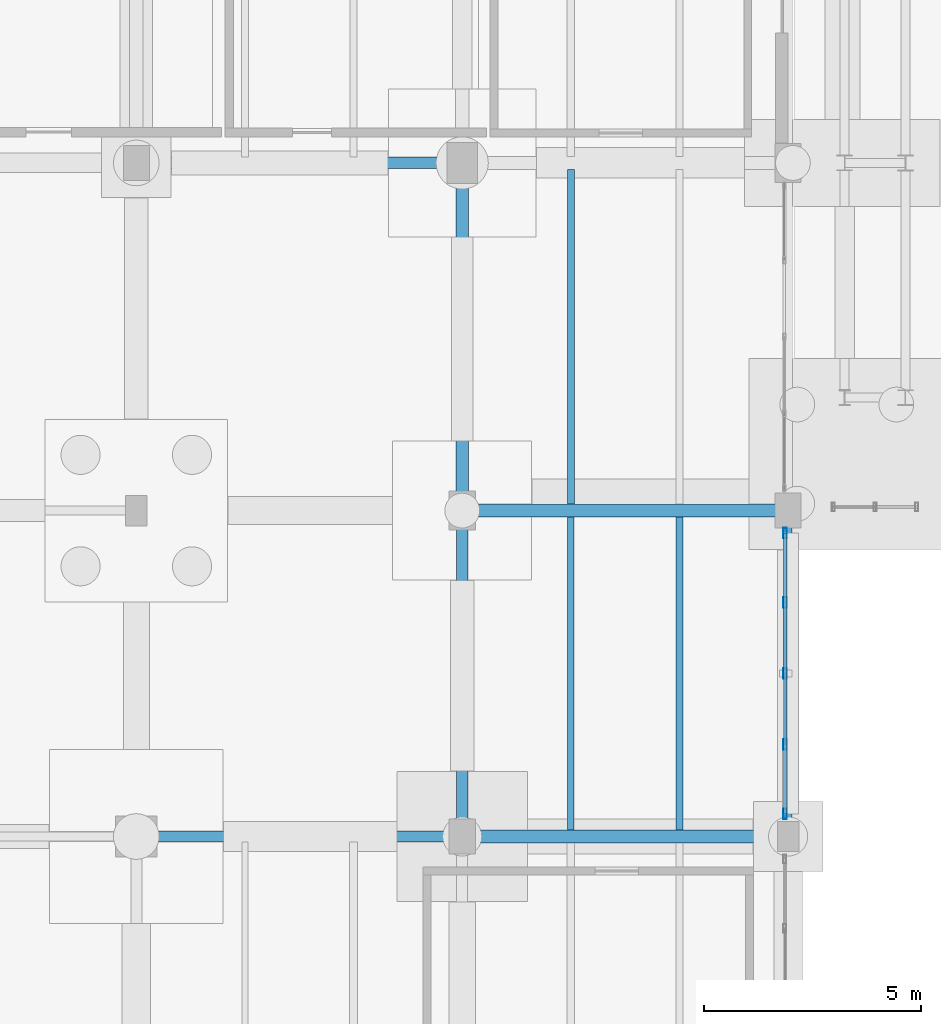
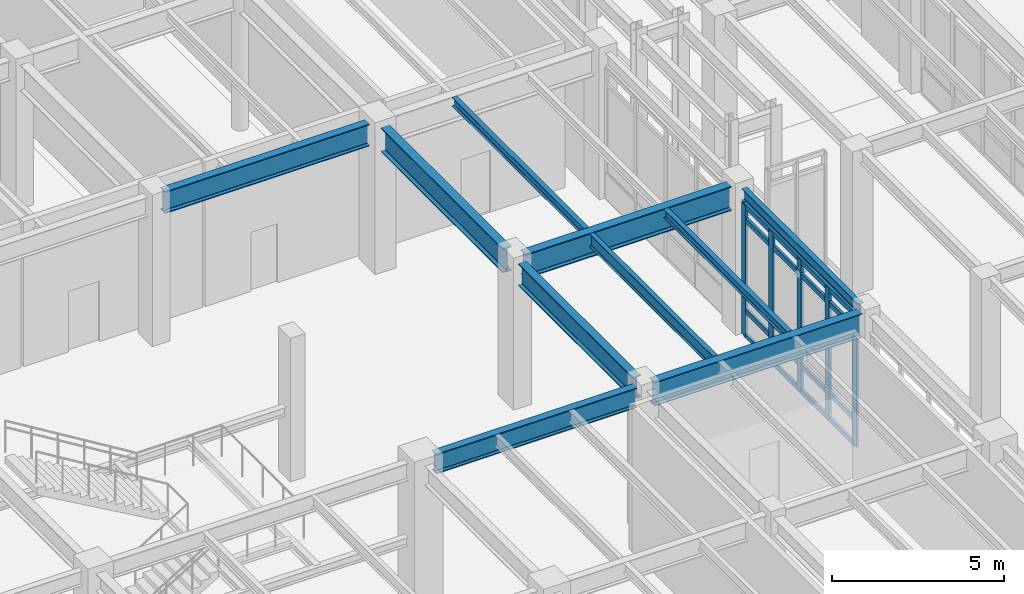
# One storey, part 39 of 203: 10 beams, 9 members, 1 element without a shape of its own.
"""IFC4 building model written with IfcOpenShell, lengths in metres."""

from ifc_helpers import new_model, si_unit, direction, frame, origin, origin_2d, place, context, subcontext, project, spatial, hollow_rectangle, i_section, extrude, material, material_profile, profile_set, type_object, element, aggregate, save


model = new_model("IFC4")

# Units and contexts
model_context = context("Model", 3, precision=1e-05, world=origin(), true_north=direction((0.0, 1.0)))
body_context = subcontext(model_context, "Body", "Model", "MODEL_VIEW")
ifc_project = project(units=[si_unit("LENGTHUNIT", "METRE"), si_unit("AREAUNIT", "SQUARE_METRE"), si_unit("VOLUMEUNIT", "CUBIC_METRE"), si_unit("PLANEANGLEUNIT", "RADIAN"), si_unit("MASSUNIT", "GRAM", prefix="KILO"), si_unit("THERMODYNAMICTEMPERATUREUNIT", "KELVIN"), si_unit("POWERUNIT", "WATT")], contexts=[model_context])

# Site, building, storey
site_placement = place(None, origin())
site = spatial("IfcSite", under=ifc_project, at=site_placement, CompositionType="ELEMENT")
building_placement = place(site_placement, origin())
building = spatial("IfcBuilding", under=site, at=building_placement, Name="Tepalcoro Natatorium and Aquatics Centre", CompositionType="ELEMENT")
storey_placement = place(building_placement, origin())
storey = spatial("IfcBuildingStorey", under=building, at=storey_placement, Name="L00", CompositionType="ELEMENT", Elevation=0.0)

# Beams
ifc_material_1 = material(Name="Steel ASTM A992 Grade 50 (Fy 345 MPa)", Category="steel")
ifc_material_profile_1 = material_profile(ifc_material_1, i_section(OverallWidth=0.25390625, OverallDepth=0.700927734375, WebThickness=0.014892578125, FlangeThickness=0.028076171875, FilletRadius=0.013916015625, at=origin_2d()), Name="W27X129")
ifc_profile_set_1 = profile_set([ifc_material_profile_1], Name="Steel ASTM A992 Grade 50 (Fy 345 MPa)")
beam_type_1 = type_object("IfcBeamType", Name="BM_W27x129", PredefinedType="BEAM", material=ifc_profile_set_1)
beam_1_placement = place(storey_placement, frame((21.4599609375, 20.5, 4.79443359375), z_axis=(1.0, 0.0, 0.0), x_axis=(0.0, 1.0, 0.0)))
element("IfcBeam", 1, at=beam_1_placement, inside=storey, type_object=beam_type_1, Name="V3 L00 Grid Girder X", PredefinedType="BEAM", context=body_context, shape_type="SweptSolid", body=[
    extrude(i_section(OverallWidth=0.25390625, OverallDepth=0.700927734375, WebThickness=0.014892578125, FlangeThickness=0.028076171875, FilletRadius=0.013916015625, at=origin_2d()), origin(), (0.0, 0.0, 1.0), 6.755126953125),
])
ifc_material_profile_2 = material_profile(ifc_material_1, i_section(OverallWidth=0.26708984375, OverallDepth=0.780029296875, WebThickness=0.01708984375, FlangeThickness=0.030029296875, FilletRadius=0.013916015625, at=origin_2d()), Name="W30X148")
ifc_profile_set_2 = profile_set([ifc_material_profile_2], Name="Steel ASTM A992 Grade 50 (Fy 345 MPa)")
beam_type_2 = type_object("IfcBeamType", Name="BM_W30x148", PredefinedType="BEAM", material=ifc_profile_set_2)
beam_2_placement = place(storey_placement, frame((21.284912109375, 36.0, 4.7548828125), z_axis=(1.0, 0.0, 0.0), x_axis=(0.0, 1.0, 0.0)))
element("IfcBeam", 2, at=beam_2_placement, inside=storey, type_object=beam_type_2, Name="V3 L00 Grid Girder X", PredefinedType="BEAM", context=body_context, shape_type="SweptSolid", body=[
    extrude(i_section(OverallWidth=0.26708984375, OverallDepth=0.780029296875, WebThickness=0.01708984375, FlangeThickness=0.030029296875, FilletRadius=0.013916015625, at=origin_2d()), origin(), (0.0, 0.0, 1.0), 6.880126953125),
])
beam_3_placement = place(storey_placement, frame((28.5, 20.885009765625, 4.7548828125), z_axis=(0.0, 1.0, 0.0), x_axis=(-1.0, 0.0, 0.0)))
element("IfcBeam", 3, at=beam_3_placement, inside=storey, type_object=beam_type_2, Name="V3 L00 Grid Girder Y", PredefinedType="BEAM", context=body_context, shape_type="SweptSolid", body=[
    extrude(i_section(OverallWidth=0.26708984375, OverallDepth=0.780029296875, WebThickness=0.01708984375, FlangeThickness=0.030029296875, FilletRadius=0.013916015625, at=origin_2d()), origin(), (0.0, 0.0, 1.0), 6.679931640625),
])
ifc_material_profile_3 = material_profile(ifc_material_1, i_section(OverallWidth=0.2919921875, OverallDepth=0.845947265625, WebThickness=0.014892578125, FlangeThickness=0.02392578125, FilletRadius=0.013916015625, at=origin_2d()), Name="W33X141")
ifc_profile_set_3 = profile_set([ifc_material_profile_3], Name="Steel ASTM A992 Grade 50 (Fy 345 MPa)")
beam_type_3 = type_object("IfcBeamType", Name="BM_W33x141", PredefinedType="BEAM", material=ifc_profile_set_3)
beam_4_placement = place(storey_placement, frame((28.784912109375, 20.5, 4.721923828125), z_axis=(1.0, 0.0, 0.0), x_axis=(0.0, 1.0, 0.0)))
element("IfcBeam", 4, at=beam_4_placement, inside=storey, type_object=beam_type_3, Name="V3 L00 Grid Girder X", PredefinedType="BEAM", context=body_context, shape_type="SweptSolid", body=[
    extrude(i_section(OverallWidth=0.2919921875, OverallDepth=0.845947265625, WebThickness=0.014892578125, FlangeThickness=0.02392578125, FilletRadius=0.013916015625, at=origin_2d()), origin(), (0.0, 0.0, 1.0), 6.97998046875),
])
ifc_material_profile_4 = material_profile(ifc_material_1, i_section(OverallWidth=0.2919921875, OverallDepth=0.85888671875, WebThickness=0.01708984375, FlangeThickness=0.031005859375, FilletRadius=0.013916015625, at=origin_2d()), Name="W33X169")
ifc_profile_set_4 = profile_set([ifc_material_profile_4], Name="Steel ASTM A992 Grade 50 (Fy 345 MPa)")
beam_type_4 = type_object("IfcBeamType", Name="BM_W33x169", PredefinedType="BEAM", material=ifc_profile_set_4)
beam_5_placement = place(storey_placement, frame((28.784912109375, 28.0, 4.715576171875), z_axis=(1.0, 0.0, 0.0), x_axis=(0.0, 1.0, 0.0)))
element("IfcBeam", 5, at=beam_5_placement, inside=storey, type_object=beam_type_4, Name="V3 L00 Grid Girder X", PredefinedType="BEAM", context=body_context, shape_type="SweptSolid", body=[
    extrude(i_section(OverallWidth=0.2919921875, OverallDepth=0.85888671875, WebThickness=0.01708984375, FlangeThickness=0.031005859375, FilletRadius=0.013916015625, at=origin_2d()), origin(), (0.0, 0.0, 1.0), 6.93017578125),
])
beam_6_placement = place(storey_placement, frame((28.5, 28.43505859375, 4.715576171875), z_axis=(0.0, 1.0, 0.0), x_axis=(-1.0, 0.0, 0.0)))
element("IfcBeam", 6, at=beam_6_placement, inside=storey, type_object=beam_type_4, Name="V3 L00 Grid Girder Y", PredefinedType="BEAM", context=body_context, shape_type="SweptSolid", body=[
    extrude(i_section(OverallWidth=0.2919921875, OverallDepth=0.85888671875, WebThickness=0.01708984375, FlangeThickness=0.031005859375, FilletRadius=0.013916015625, at=origin_2d()), origin(), (0.0, 0.0, 1.0), 7.10498046875),
])

# Curtain wall, members
ifc_material_2 = material(Name="Bronze-Anodised Extruded Aluminium Alloy EN AW-6063 T6", Category="aluminium")
curtain_wall_type = type_object("IfcCurtainWallType", Name="CW_LEAN_T2_EW", PredefinedType="USERDEFINED", material=ifc_material_2)
curtain_wall_placement = place(storey_placement, origin())
curtain_wall = element("IfcCurtainWall", 7, at=curtain_wall_placement, inside=storey, type_object=curtain_wall_type, Name="V3 L00 E Unitised Curtain Wall Bay 3", ObjectType="FACETED SOLAR GLAZING", PredefinedType="USERDEFINED")
ifc_material_profile_5 = material_profile(ifc_material_2, hollow_rectangle(XDim=0.080078125, YDim=0.239990234375, WallThickness=0.0048828125, at=origin_2d()), Name="AL80X240X5")
ifc_profile_set_5 = profile_set([ifc_material_profile_5], Name="Bronze-Anodised Extruded Aluminium Alloy EN AW-6063 T6")
member_type_1 = type_object("IfcMemberType", Name="CW_MUL_80x240", PredefinedType="MULLION", material=ifc_profile_set_5)
member_1_placement = place(storey_placement, frame((35.9287109375, 21.02001953125, 0.02001953125), z_axis=(0.0, 0.0, 1.0), x_axis=(1.0, 0.0, 0.0)))
member_1 = element("IfcMember", 8, at=member_1_placement, type_object=member_type_1, Name="CW_LEAN_T2_EW Curtain Wall Mullion", PredefinedType="MULLION", context=body_context, shape_type="SweptSolid", body=[
    extrude(hollow_rectangle(XDim=0.080078125, YDim=0.239990234375, WallThickness=0.0048828125, at=origin_2d()), origin(), (0.0, 0.0, 1.0), 4.677001953125),
])
member_2_placement = place(storey_placement, frame((35.9287109375, 22.614990234375, 0.02001953125), z_axis=(0.0, 0.0, 1.0), x_axis=(1.0, 0.0, 0.0)))
member_2 = element("IfcMember", 9, at=member_2_placement, type_object=member_type_1, Name="CW_LEAN_T2_EW Curtain Wall Mullion", PredefinedType="MULLION", context=body_context, shape_type="SweptSolid", body=[
    extrude(hollow_rectangle(XDim=0.080078125, YDim=0.239990234375, WallThickness=0.0048828125, at=origin_2d()), origin(), (0.0, 0.0, 1.0), 4.677001953125),
])
member_3_placement = place(storey_placement, frame((35.9287109375, 24.25, 0.02001953125), z_axis=(0.0, 0.0, 1.0), x_axis=(1.0, 0.0, 0.0)))
member_3 = element("IfcMember", 10, at=member_3_placement, type_object=member_type_1, Name="CW_LEAN_T2_EW Curtain Wall Mullion", PredefinedType="MULLION", context=body_context, shape_type="SweptSolid", body=[
    extrude(hollow_rectangle(XDim=0.080078125, YDim=0.239990234375, WallThickness=0.0048828125, at=origin_2d()), origin(), (0.0, 0.0, 1.0), 4.677001953125),
])
member_4_placement = place(storey_placement, frame((35.9287109375, 25.885009765625, 0.02001953125), z_axis=(0.0, 0.0, 1.0), x_axis=(1.0, 0.0, 0.0)))
member_4 = element("IfcMember", 11, at=member_4_placement, type_object=member_type_1, Name="CW_LEAN_T2_EW Curtain Wall Mullion", PredefinedType="MULLION", context=body_context, shape_type="SweptSolid", body=[
    extrude(hollow_rectangle(XDim=0.080078125, YDim=0.239990234375, WallThickness=0.0048828125, at=origin_2d()), origin(), (0.0, 0.0, 1.0), 4.677001953125),
])
member_5_placement = place(storey_placement, frame((35.9287109375, 27.47998046875, 0.02001953125), z_axis=(0.0, 0.0, 1.0), x_axis=(1.0, 0.0, 0.0)))
member_5 = element("IfcMember", 12, at=member_5_placement, type_object=member_type_1, Name="CW_LEAN_T2_EW Curtain Wall Mullion", PredefinedType="MULLION", context=body_context, shape_type="SweptSolid", body=[
    extrude(hollow_rectangle(XDim=0.080078125, YDim=0.239990234375, WallThickness=0.0048828125, at=origin_2d()), origin(), (0.0, 0.0, 1.0), 4.677001953125),
])
ifc_material_profile_6 = material_profile(ifc_material_2, hollow_rectangle(XDim=0.080078125, YDim=0.179931640625, WallThickness=0.0048828125, at=origin_2d()), Name="AL80X180X5")
ifc_profile_set_6 = profile_set([ifc_material_profile_6], Name="Bronze-Anodised Extruded Aluminium Alloy EN AW-6063 T6")
member_type_2 = type_object("IfcMemberType", Name="CW_TRN_80x180", PredefinedType="USERDEFINED", material=ifc_profile_set_6)
member_6_placement = place(storey_placement, frame((35.9287109375, 21.030029296875, 0.050048828125), z_axis=(0.0, 1.0, 0.0), x_axis=(-1.0, 0.0, 0.0)))
member_6 = element("IfcMember", 13, at=member_6_placement, type_object=member_type_2, Name="CW_LEAN_T2_EW Curtain Wall Transom", ObjectType="TRANSOM", PredefinedType="USERDEFINED", context=body_context, shape_type="SweptSolid", body=[
    extrude(hollow_rectangle(XDim=0.080078125, YDim=0.179931640625, WallThickness=0.0048828125, at=origin_2d()), origin(), (0.0, 0.0, 1.0), 6.43994140625),
])
member_7_placement = place(storey_placement, frame((35.9287109375, 21.030029296875, 0.949951171875), z_axis=(0.0, 1.0, 0.0), x_axis=(-1.0, 0.0, 0.0)))
member_7 = element("IfcMember", 14, at=member_7_placement, type_object=member_type_2, Name="CW_LEAN_T2_EW Curtain Wall Transom", ObjectType="TRANSOM", PredefinedType="USERDEFINED", context=body_context, shape_type="SweptSolid", body=[
    extrude(hollow_rectangle(XDim=0.080078125, YDim=0.179931640625, WallThickness=0.0048828125, at=origin_2d()), origin(), (0.0, 0.0, 1.0), 6.43994140625),
])
member_8_placement = place(storey_placement, frame((35.9287109375, 21.030029296875, 4.1669921875), z_axis=(0.0, 1.0, 0.0), x_axis=(-1.0, 0.0, 0.0)))
member_8 = element("IfcMember", 15, at=member_8_placement, type_object=member_type_2, Name="CW_LEAN_T2_EW Curtain Wall Transom", ObjectType="TRANSOM", PredefinedType="USERDEFINED", context=body_context, shape_type="SweptSolid", body=[
    extrude(hollow_rectangle(XDim=0.080078125, YDim=0.179931640625, WallThickness=0.0048828125, at=origin_2d()), origin(), (0.0, 0.0, 1.0), 6.43994140625),
])
member_9_placement = place(storey_placement, frame((35.9287109375, 21.030029296875, 4.6669921875), z_axis=(0.0, 1.0, 0.0), x_axis=(-1.0, 0.0, 0.0)))
member_9 = element("IfcMember", 16, at=member_9_placement, type_object=member_type_2, Name="CW_LEAN_T2_EW Curtain Wall Transom", ObjectType="TRANSOM", PredefinedType="USERDEFINED", context=body_context, shape_type="SweptSolid", body=[
    extrude(hollow_rectangle(XDim=0.080078125, YDim=0.179931640625, WallThickness=0.0048828125, at=origin_2d()), origin(), (0.0, 0.0, 1.0), 6.43994140625),
])
aggregate(curtain_wall, [member_1, member_2, member_3, member_4, member_5, member_6, member_7, member_8, member_9])

# Beams
ifc_material_profile_7 = material_profile(ifc_material_1, i_section(OverallWidth=0.1650390625, OverallDepth=0.31005859375, WebThickness=0.006103515625, FlangeThickness=0.010009765625, FilletRadius=0.013916015625, at=origin_2d()), Name="W12X26")
ifc_profile_set_7 = profile_set([ifc_material_profile_7], Name="Steel ASTM A992 Grade 50 (Fy 345 MPa)")
beam_type_5 = type_object("IfcBeamType", Name="JS_W12x26", PredefinedType="JOIST", material=ifc_profile_set_7)
beam_7_placement = place(storey_placement, frame((33.5, 20.64599609375, 4.989990234375), z_axis=(0.0, 1.0, 0.0), x_axis=(-1.0, 0.0, 0.0)))
element("IfcBeam", 17, at=beam_7_placement, inside=storey, type_object=beam_type_5, Name="V3 L00 Floor Joist", PredefinedType="JOIST", context=body_context, shape_type="SweptSolid", body=[
    extrude(i_section(OverallWidth=0.1650390625, OverallDepth=0.31005859375, WebThickness=0.006103515625, FlangeThickness=0.010009765625, FilletRadius=0.013916015625, at=origin_2d()), origin(), (0.0, 0.0, 1.0), 7.2080078125),
])
beam_8_placement = place(storey_placement, frame((31.0, 28.14599609375, 4.989990234375), z_axis=(0.0, 1.0, 0.0), x_axis=(-1.0, 0.0, 0.0)))
element("IfcBeam", 18, at=beam_8_placement, inside=storey, type_object=beam_type_5, Name="V3 L00 Floor Joist", PredefinedType="JOIST", context=body_context, shape_type="SweptSolid", body=[
    extrude(i_section(OverallWidth=0.1650390625, OverallDepth=0.31005859375, WebThickness=0.006103515625, FlangeThickness=0.010009765625, FilletRadius=0.013916015625, at=origin_2d()), origin(), (0.0, 0.0, 1.0), 7.701416015625),
])
ifc_material_profile_8 = material_profile(ifc_material_1, i_section(OverallWidth=0.153076171875, OverallDepth=0.455078125, WebThickness=0.008056640625, FlangeThickness=0.012939453125, FilletRadius=0.013916015625, at=origin_2d()), Name="W18X40")
ifc_profile_set_8 = profile_set([ifc_material_profile_8], Name="Steel ASTM A992 Grade 50 (Fy 345 MPa)")
beam_type_6 = type_object("IfcBeamType", Name="JS_W18x40", PredefinedType="JOIST", material=ifc_profile_set_8)
beam_9_placement = place(storey_placement, frame((31.0, 20.64599609375, 4.91748046875), z_axis=(0.0, 1.0, 0.0), x_axis=(-1.0, 0.0, 0.0)))
element("IfcBeam", 19, at=beam_9_placement, inside=storey, type_object=beam_type_6, Name="V3 L00 Floor Joist", PredefinedType="JOIST", context=body_context, shape_type="SweptSolid", body=[
    extrude(i_section(OverallWidth=0.153076171875, OverallDepth=0.455078125, WebThickness=0.008056640625, FlangeThickness=0.012939453125, FilletRadius=0.013916015625, at=origin_2d()), origin(), (0.0, 0.0, 1.0), 7.2080078125),
])
ifc_material_profile_9 = material_profile(ifc_material_1, i_section(OverallWidth=0.179931640625, OverallDepth=0.4130859375, WebThickness=0.010009765625, FlangeThickness=0.01611328125, FilletRadius=0.013916015625, at=origin_2d()), Name="W16X50")
ifc_profile_set_9 = profile_set([ifc_material_profile_9], Name="Steel ASTM A992 Grade 50 (Fy 345 MPa)")
beam_type_7 = type_object("IfcBeamType", Name="SP_HSS300x200x12", PredefinedType="SPANDREL", material=ifc_profile_set_9)
beam_10_placement = place(storey_placement, frame((36.0, 20.8349609375, 4.9384765625), z_axis=(0.0, 1.0, 0.0), x_axis=(-1.0, 0.0, 0.0)))
element("IfcBeam", 20, at=beam_10_placement, inside=storey, type_object=beam_type_7, Name="V3 L00 Grid Girder Y", PredefinedType="SPANDREL", context=body_context, shape_type="SweptSolid", body=[
    extrude(i_section(OverallWidth=0.179931640625, OverallDepth=0.4130859375, WebThickness=0.010009765625, FlangeThickness=0.01611328125, FilletRadius=0.013916015625, at=origin_2d()), origin(), (0.0, 0.0, 1.0), 6.780029296875),
])

save(model, "model.ifc")
